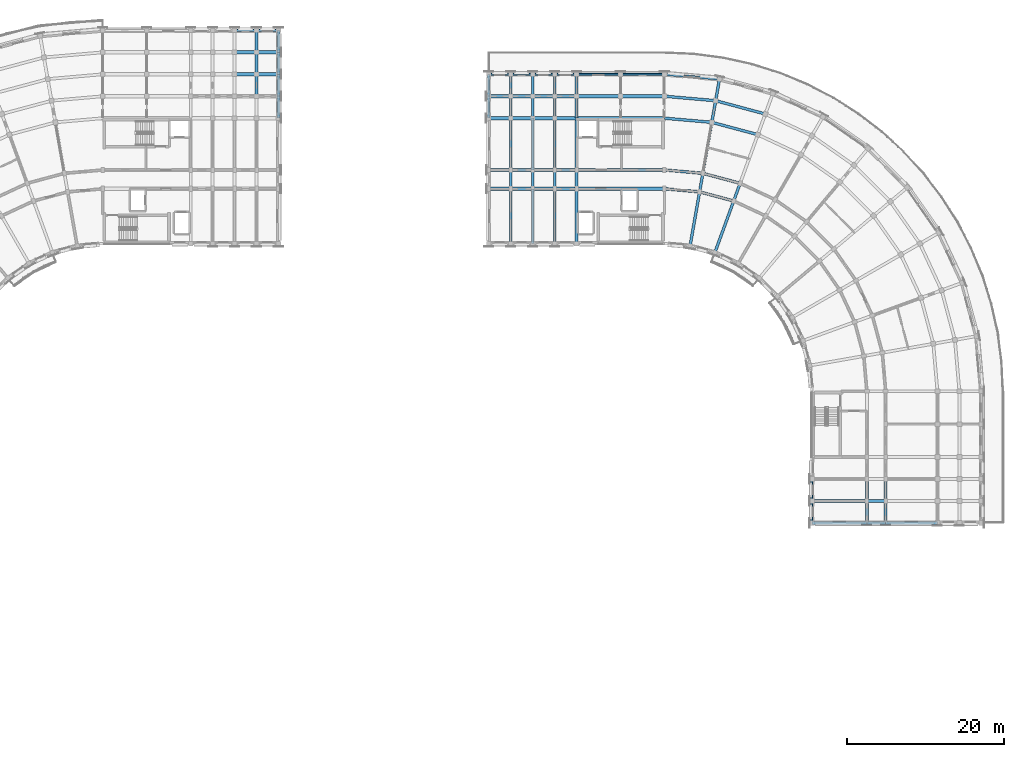
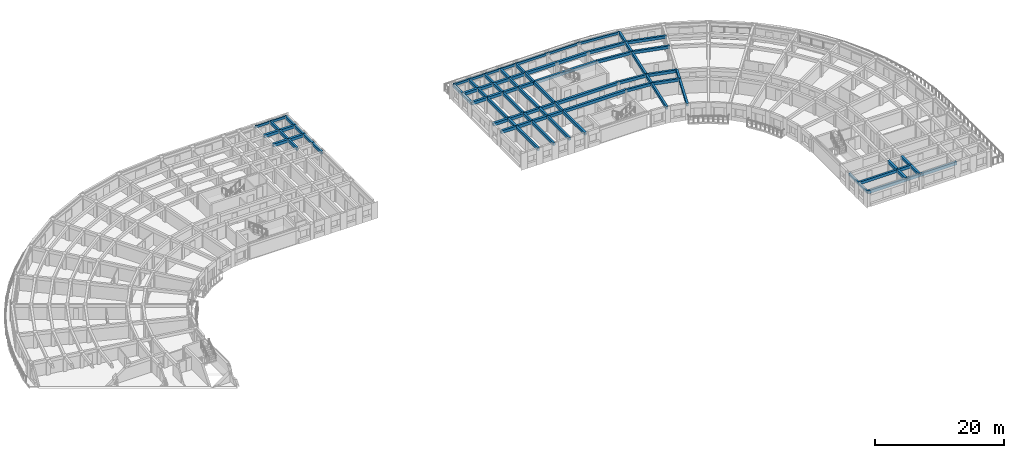
# One storey, part 7 of 41: 89 beams.
"""IFC4 building model written with IfcOpenShell, lengths in metres."""

from ifc_helpers import new_model, si_unit, direction, frame, origin, origin_2d, place, context, subcontext, project, spatial, rectangle, extrude, material, material_profile, profile_set, type_object, element, save


model = new_model("IFC4")

# Units and contexts
model_context = context("Model", 3, precision=1e-05, world=origin(), true_north=direction((0.0, 1.0)))
body_context = subcontext(model_context, "Body", "Model", "MODEL_VIEW")
ifc_project = project(units=[si_unit("LENGTHUNIT", "METRE"), si_unit("AREAUNIT", "SQUARE_METRE"), si_unit("VOLUMEUNIT", "CUBIC_METRE"), si_unit("PLANEANGLEUNIT", "RADIAN"), si_unit("MASSUNIT", "GRAM", prefix="KILO")], contexts=[model_context])

# Site, building, storey
site_placement = place(None, origin())
site = spatial("IfcSite", under=ifc_project, at=site_placement, CompositionType="ELEMENT")
building_placement = place(site_placement, origin())
building = spatial("IfcBuilding", under=site, at=building_placement, Name="Kiranvali Square Residences", CompositionType="ELEMENT")
storey_placement = place(building_placement, frame((0.0, 0.0, 33.89990234375)))
storey = spatial("IfcBuildingStorey", under=building, at=storey_placement, Name="L10", CompositionType="ELEMENT", Elevation=33.89990234375)

# Beams
ifc_material_1 = material(Name="Concrete M40 (40 MPa)", Category="concrete")
ifc_material_profile_1 = material_profile(ifc_material_1, rectangle(XDim=0.35009765625, YDim=0.550048828125, at=origin_2d()), Name="RC 350x550")
ifc_profile_set_1 = profile_set([ifc_material_profile_1], Name="Concrete M40 (40 MPa)")
beam_type_1 = type_object("IfcBeamType", Name="BM-M40-350x550", PredefinedType="BEAM", material=ifc_profile_set_1)
for number, where, z_axis, x_axis, name in (
    (1, (67.800048828125, 125.39990234375, 2.655029296875), (0.0, 1.0, 0.0), (-1.0, 0.0, 0.0), "L10 beam BM-A-L10-A1T4-45"),
    (2, (67.800048828125, 128.199951171875, 2.655029296875), (0.0, 1.0, 0.0), (-1.0, 0.0, 0.0), "L10 beam BM-A-L10-A1T4-56"),
    (3, (67.800048828125, 131.0, 2.655029296875), (0.0, 1.0, 0.0), (-1.0, 0.0, 0.0), "L10 beam BM-A-L10-A1T4-67"),
):
    element("IfcBeam", number, at=place(storey_placement, frame(where, z_axis=z_axis, x_axis=x_axis)), inside=storey, type_object=beam_type_1, Name=name, PredefinedType="BEAM", context=body_context, shape_type="SweptSolid", body=[
        extrude(rectangle(XDim=0.35009765625, YDim=0.550048828125, at=origin_2d()), origin(), (0.0, 0.0, 1.0), 2.800048828125),
    ])
beam_1_placement = place(storey_placement, frame((70.60009765625, 122.60009765625, 2.655029296875), z_axis=(0.0, 1.0, 0.0), x_axis=(-1.0, 0.0, 0.0)))
element("IfcBeam", 4, at=beam_1_placement, inside=storey, type_object=beam_type_1, Name="L10 beam BM-A-L10-A1T5-34", PredefinedType="BEAM", context=body_context, shape_type="SweptSolid", body=[
    extrude(rectangle(XDim=0.35009765625, YDim=0.550048828125, at=origin_2d()), origin(), (0.0, 0.0, 1.0), 2.7998046875),
])
for number, where, z_axis, x_axis, name in (
    (5, (70.60009765625, 125.39990234375, 2.655029296875), (0.0, 1.0, 0.0), (-1.0, 0.0, 0.0), "L10 beam BM-A-L10-A1T5-45"),
    (6, (70.60009765625, 128.199951171875, 2.655029296875), (0.0, 1.0, 0.0), (-1.0, 0.0, 0.0), "L10 beam BM-A-L10-A1T5-56"),
    (7, (70.60009765625, 131.0, 2.655029296875), (0.0, 1.0, 0.0), (-1.0, 0.0, 0.0), "L10 beam BM-A-L10-A1T5-67"),
):
    element("IfcBeam", number, at=place(storey_placement, frame(where, z_axis=z_axis, x_axis=x_axis)), inside=storey, type_object=beam_type_1, Name=name, PredefinedType="BEAM", context=body_context, shape_type="SweptSolid", body=[
        extrude(rectangle(XDim=0.35009765625, YDim=0.550048828125, at=origin_2d()), origin(), (0.0, 0.0, 1.0), 2.800048828125),
    ])
beam_2_placement = place(storey_placement, frame((119.800048828125, 113.60009765625, 2.655029296875), z_axis=(0.996191949488, -0.087187153726, 0.0), x_axis=(0.087187153726, 0.996191949488, 0.0)))
element("IfcBeam", 8, at=beam_2_placement, inside=storey, type_object=beam_type_1, Name="L10 beam BM-B-L10-C00-R1", PredefinedType="BEAM", context=body_context, shape_type="SweptSolid", body=[
    extrude(rectangle(XDim=0.35009765625, YDim=0.550048828125, at=origin_2d()), origin(), (0.0, 0.0, 1.0), 4.4970703125),
])
beam_3_placement = place(storey_placement, frame((119.800048828125, 116.0, 2.655029296875), z_axis=(0.996193663584, -0.087167566415, 0.0), x_axis=(0.087167566415, 0.996193663584, 0.0)))
element("IfcBeam", 9, at=beam_3_placement, inside=storey, type_object=beam_type_1, Name="L10 beam BM-B-L10-C00-R2", PredefinedType="BEAM", context=body_context, shape_type="SweptSolid", body=[
    extrude(rectangle(XDim=0.35009765625, YDim=0.550048828125, at=origin_2d()), origin(), (0.0, 0.0, 1.0), 4.91552734375),
])
beam_4_placement = place(storey_placement, frame((119.800048828125, 122.60009765625, 2.655029296875), z_axis=(0.996193018494, -0.087174938512, 0.0), x_axis=(0.087174938512, 0.996193018494, 0.0)))
element("IfcBeam", 10, at=beam_4_placement, inside=storey, type_object=beam_type_1, Name="L10 beam BM-B-L10-C00-R3", PredefinedType="BEAM", context=body_context, shape_type="SweptSolid", body=[
    extrude(rectangle(XDim=0.35009765625, YDim=0.550048828125, at=origin_2d()), origin(), (0.0, 0.0, 1.0), 6.066162109375),
])
beam_5_placement = place(storey_placement, frame((119.800048828125, 125.39990234375, 2.655029296875), z_axis=(0.996196991902, -0.0871295204, 0.0), x_axis=(0.0871295204, 0.996196991902, 0.0)))
element("IfcBeam", 11, at=beam_5_placement, inside=storey, type_object=beam_type_1, Name="L10 beam BM-B-L10-C00-R4", PredefinedType="BEAM", context=body_context, shape_type="SweptSolid", body=[
    extrude(rectangle(XDim=0.35009765625, YDim=0.550048828125, at=origin_2d()), origin(), (0.0, 0.0, 1.0), 6.553955078125),
])
beam_6_placement = place(storey_placement, frame((124.280029296875, 113.2080078125, 2.655029296875), z_axis=(0.965934240054, -0.258787642463, 0.0), x_axis=(0.258787642463, 0.965934240054, 0.0)))
element("IfcBeam", 12, at=beam_6_placement, inside=storey, type_object=beam_type_1, Name="L10 beam BM-B-L10-C01-R1", PredefinedType="BEAM", context=body_context, shape_type="SweptSolid", body=[
    extrude(rectangle(XDim=0.35009765625, YDim=0.550048828125, at=origin_2d()), origin(), (0.0, 0.0, 1.0), 4.497314453125),
])
beam_7_placement = place(storey_placement, frame((124.69677734375, 115.571533203125, 2.655029296875), z_axis=(0.965930095386, -0.258803112091, 0.0), x_axis=(0.258803112091, 0.965930095386, 0.0)))
element("IfcBeam", 13, at=beam_7_placement, inside=storey, type_object=beam_type_1, Name="L10 beam BM-B-L10-C01-R2", PredefinedType="BEAM", context=body_context, shape_type="SweptSolid", body=[
    extrude(rectangle(XDim=0.35009765625, YDim=0.550048828125, at=origin_2d()), origin(), (0.0, 0.0, 1.0), 4.915771484375),
])
beam_8_placement = place(storey_placement, frame((125.843017578125, 122.0712890625, 2.655029296875), z_axis=(0.965923618901, -0.258827283048, 0.0), x_axis=(0.258827283048, 0.965923618901, 0.0)))
element("IfcBeam", 14, at=beam_8_placement, inside=storey, type_object=beam_type_1, Name="L10 beam BM-B-L10-C01-R3", PredefinedType="BEAM", context=body_context, shape_type="SweptSolid", body=[
    extrude(rectangle(XDim=0.35009765625, YDim=0.550048828125, at=origin_2d()), origin(), (0.0, 0.0, 1.0), 6.066162109375),
])
beam_9_placement = place(storey_placement, frame((126.3291015625, 124.828857421875, 2.655029296875), z_axis=(0.965918287583, -0.258847178297, 0.0), x_axis=(0.258847178297, 0.965918287583, 0.0)))
element("IfcBeam", 15, at=beam_9_placement, inside=storey, type_object=beam_type_1, Name="L10 beam BM-B-L10-C01-R4", PredefinedType="BEAM", context=body_context, shape_type="SweptSolid", body=[
    extrude(rectangle(XDim=0.35009765625, YDim=0.550048828125, at=origin_2d()), origin(), (0.0, 0.0, 1.0), 6.55419921875),
])
beam_10_placement = place(storey_placement, frame((123.064697265625, 106.314453125, 2.655029296875), z_axis=(0.173622177865, 0.984812337125, 0.0), x_axis=(-0.984812337125, 0.173622177865, 0.0)))
element("IfcBeam", 16, at=beam_10_placement, inside=storey, type_object=beam_type_1, Name="L10 beam BM-B-L10-RAD01-01", PredefinedType="BEAM", context=body_context, shape_type="SweptSolid", body=[
    extrude(rectangle(XDim=0.35009765625, YDim=0.550048828125, at=origin_2d()), origin(), (0.0, 0.0, 1.0), 6.999755859375),
])
beam_11_placement = place(storey_placement, frame((124.280029296875, 113.2080078125, 2.655029296875), z_axis=(0.173646056486, 0.984808127031, 0.0), x_axis=(-0.984808127031, 0.173646056486, 0.0)))
element("IfcBeam", 17, at=beam_11_placement, inside=storey, type_object=beam_type_1, Name="L10 beam BM-B-L10-RAD01-12", PredefinedType="BEAM", context=body_context, shape_type="SweptSolid", body=[
    extrude(rectangle(XDim=0.35009765625, YDim=0.550048828125, at=origin_2d()), origin(), (0.0, 0.0, 1.0), 2.39990234375),
])
beam_12_placement = place(storey_placement, frame((124.69677734375, 115.571533203125, 2.655029296875), z_axis=(0.173671381499, 0.984803661269, 0.0), x_axis=(-0.984803661269, 0.173671381499, 0.0)))
element("IfcBeam", 18, at=beam_12_placement, inside=storey, type_object=beam_type_1, Name="L10 beam BM-B-L10-RAD01-23", PredefinedType="BEAM", context=body_context, shape_type="SweptSolid", body=[
    extrude(rectangle(XDim=0.35009765625, YDim=0.550048828125, at=origin_2d()), origin(), (0.0, 0.0, 1.0), 6.60009765625),
])
beam_13_placement = place(storey_placement, frame((125.843017578125, 122.0712890625, 2.655029296875), z_axis=(0.173596320392, 0.984816895441, 0.0), x_axis=(-0.984816895441, 0.173596320392, 0.0)))
element("IfcBeam", 19, at=beam_13_placement, inside=storey, type_object=beam_type_1, Name="L10 beam BM-B-L10-RAD01-34", PredefinedType="BEAM", context=body_context, shape_type="SweptSolid", body=[
    extrude(rectangle(XDim=0.35009765625, YDim=0.550048828125, at=origin_2d()), origin(), (0.0, 0.0, 1.0), 2.800048828125),
])
beam_14_placement = place(storey_placement, frame((126.3291015625, 124.828857421875, 2.695068359375), z_axis=(0.173695795656, 0.984799355489, 0.0), x_axis=(-0.984799355489, 0.173695795656, 0.0)))
element("IfcBeam", 20, at=beam_14_placement, inside=storey, type_object=beam_type_1, Name="L10 beam BM-B-L10-RAD01-45", PredefinedType="BEAM", context=body_context, shape_type="SweptSolid", body=[
    extrude(rectangle(XDim=0.35009765625, YDim=0.550048828125, at=origin_2d()), origin(), (0.0, 0.0, 1.0), 2.7998046875),
])
beam_15_placement = place(storey_placement, frame((126.22998046875, 105.46630859375, 2.655029296875), z_axis=(0.342006283793, 0.939697665127, 0.0), x_axis=(-0.939697665127, 0.342006283793, 0.0)))
element("IfcBeam", 21, at=beam_15_placement, inside=storey, type_object=beam_type_1, Name="L10 beam BM-B-L10-RAD02-01", PredefinedType="BEAM", context=body_context, shape_type="SweptSolid", body=[
    extrude(rectangle(XDim=0.35009765625, YDim=0.550048828125, at=origin_2d()), origin(), (0.0, 0.0, 1.0), 7.0),
])
beam_16_placement = place(storey_placement, frame((128.6240234375, 112.044189453125, 2.655029296875), z_axis=(0.342110593602, 0.939659694648, 0.0), x_axis=(-0.939659694648, 0.342110593602, 0.0)))
element("IfcBeam", 22, at=beam_16_placement, inside=storey, type_object=beam_type_1, Name="L10 beam BM-B-L10-RAD02-12", PredefinedType="BEAM", context=body_context, shape_type="SweptSolid", body=[
    extrude(rectangle(XDim=0.35009765625, YDim=0.550048828125, at=origin_2d()), origin(), (0.0, 0.0, 1.0), 2.39990234375),
])
beam_17_placement = place(storey_placement, frame((108.60009765625, 106.60009765625, 2.655029296875), z_axis=(0.0, 1.0, 0.0), x_axis=(-1.0, 0.0, 0.0)))
element("IfcBeam", 23, at=beam_17_placement, inside=storey, type_object=beam_type_1, Name="L10 beam BM-B-L10-A1T1-01", PredefinedType="BEAM", context=body_context, shape_type="SweptSolid", body=[
    extrude(rectangle(XDim=0.35009765625, YDim=0.550048828125, at=origin_2d()), origin(), (0.0, 0.0, 1.0), 7.0),
])
beam_18_placement = place(storey_placement, frame((108.60009765625, 113.60009765625, 2.655029296875), z_axis=(0.0, 1.0, 0.0), x_axis=(-1.0, 0.0, 0.0)))
element("IfcBeam", 24, at=beam_18_placement, inside=storey, type_object=beam_type_1, Name="L10 beam BM-B-L10-A1T1-12", PredefinedType="BEAM", context=body_context, shape_type="SweptSolid", body=[
    extrude(rectangle(XDim=0.35009765625, YDim=0.550048828125, at=origin_2d()), origin(), (0.0, 0.0, 1.0), 2.39990234375),
])
beam_19_placement = place(storey_placement, frame((108.60009765625, 116.0, 2.655029296875), z_axis=(0.0, 1.0, 0.0), x_axis=(-1.0, 0.0, 0.0)))
element("IfcBeam", 25, at=beam_19_placement, inside=storey, type_object=beam_type_1, Name="L10 beam BM-B-L10-A1T1-23", PredefinedType="BEAM", context=body_context, shape_type="SweptSolid", body=[
    extrude(rectangle(XDim=0.35009765625, YDim=0.550048828125, at=origin_2d()), origin(), (0.0, 0.0, 1.0), 6.60009765625),
])
beam_20_placement = place(storey_placement, frame((108.60009765625, 122.60009765625, 2.655029296875), z_axis=(0.0, 1.0, 0.0), x_axis=(-1.0, 0.0, 0.0)))
element("IfcBeam", 26, at=beam_20_placement, inside=storey, type_object=beam_type_1, Name="L10 beam BM-B-L10-A1T1-34", PredefinedType="BEAM", context=body_context, shape_type="SweptSolid", body=[
    extrude(rectangle(XDim=0.35009765625, YDim=0.550048828125, at=origin_2d()), origin(), (0.0, 0.0, 1.0), 2.7998046875),
])
beam_21_placement = place(storey_placement, frame((108.60009765625, 125.39990234375, 2.695068359375), z_axis=(0.0, 1.0, 0.0), x_axis=(-1.0, 0.0, 0.0)))
element("IfcBeam", 27, at=beam_21_placement, inside=storey, type_object=beam_type_1, Name="L10 beam BM-B-L10-A1T1-45", PredefinedType="BEAM", context=body_context, shape_type="SweptSolid", body=[
    extrude(rectangle(XDim=0.35009765625, YDim=0.550048828125, at=origin_2d()), origin(), (0.0, 0.0, 1.0), 2.800048828125),
])
beam_22_placement = place(storey_placement, frame((105.800048828125, 106.60009765625, 2.655029296875), z_axis=(0.0, 1.0, 0.0), x_axis=(-1.0, 0.0, 0.0)))
element("IfcBeam", 28, at=beam_22_placement, inside=storey, type_object=beam_type_1, Name="L10 beam BM-B-L10-A1T2-01", PredefinedType="BEAM", context=body_context, shape_type="SweptSolid", body=[
    extrude(rectangle(XDim=0.35009765625, YDim=0.550048828125, at=origin_2d()), origin(), (0.0, 0.0, 1.0), 7.0),
])
beam_23_placement = place(storey_placement, frame((105.800048828125, 113.60009765625, 2.655029296875), z_axis=(0.0, 1.0, 0.0), x_axis=(-1.0, 0.0, 0.0)))
element("IfcBeam", 29, at=beam_23_placement, inside=storey, type_object=beam_type_1, Name="L10 beam BM-B-L10-A1T2-12", PredefinedType="BEAM", context=body_context, shape_type="SweptSolid", body=[
    extrude(rectangle(XDim=0.35009765625, YDim=0.550048828125, at=origin_2d()), origin(), (0.0, 0.0, 1.0), 2.39990234375),
])
beam_24_placement = place(storey_placement, frame((105.800048828125, 116.0, 2.655029296875), z_axis=(0.0, 1.0, 0.0), x_axis=(-1.0, 0.0, 0.0)))
element("IfcBeam", 30, at=beam_24_placement, inside=storey, type_object=beam_type_1, Name="L10 beam BM-B-L10-A1T2-23", PredefinedType="BEAM", context=body_context, shape_type="SweptSolid", body=[
    extrude(rectangle(XDim=0.35009765625, YDim=0.550048828125, at=origin_2d()), origin(), (0.0, 0.0, 1.0), 6.60009765625),
])
beam_25_placement = place(storey_placement, frame((105.800048828125, 122.60009765625, 2.655029296875), z_axis=(0.0, 1.0, 0.0), x_axis=(-1.0, 0.0, 0.0)))
element("IfcBeam", 31, at=beam_25_placement, inside=storey, type_object=beam_type_1, Name="L10 beam BM-B-L10-A1T2-34", PredefinedType="BEAM", context=body_context, shape_type="SweptSolid", body=[
    extrude(rectangle(XDim=0.35009765625, YDim=0.550048828125, at=origin_2d()), origin(), (0.0, 0.0, 1.0), 2.7998046875),
])
beam_26_placement = place(storey_placement, frame((105.800048828125, 125.39990234375, 2.695068359375), z_axis=(0.0, 1.0, 0.0), x_axis=(-1.0, 0.0, 0.0)))
element("IfcBeam", 32, at=beam_26_placement, inside=storey, type_object=beam_type_1, Name="L10 beam BM-B-L10-A1T2-45", PredefinedType="BEAM", context=body_context, shape_type="SweptSolid", body=[
    extrude(rectangle(XDim=0.35009765625, YDim=0.550048828125, at=origin_2d()), origin(), (0.0, 0.0, 1.0), 2.800048828125),
])
beam_27_placement = place(storey_placement, frame((103.0, 106.60009765625, 2.655029296875), z_axis=(0.0, 1.0, 0.0), x_axis=(-1.0, 0.0, 0.0)))
element("IfcBeam", 33, at=beam_27_placement, inside=storey, type_object=beam_type_1, Name="L10 beam BM-B-L10-A1T3-01", PredefinedType="BEAM", context=body_context, shape_type="SweptSolid", body=[
    extrude(rectangle(XDim=0.35009765625, YDim=0.550048828125, at=origin_2d()), origin(), (0.0, 0.0, 1.0), 7.0),
])
beam_28_placement = place(storey_placement, frame((103.0, 113.60009765625, 2.655029296875), z_axis=(0.0, 1.0, 0.0), x_axis=(-1.0, 0.0, 0.0)))
element("IfcBeam", 34, at=beam_28_placement, inside=storey, type_object=beam_type_1, Name="L10 beam BM-B-L10-A1T3-12", PredefinedType="BEAM", context=body_context, shape_type="SweptSolid", body=[
    extrude(rectangle(XDim=0.35009765625, YDim=0.550048828125, at=origin_2d()), origin(), (0.0, 0.0, 1.0), 2.39990234375),
])
beam_29_placement = place(storey_placement, frame((103.0, 116.0, 2.655029296875), z_axis=(0.0, 1.0, 0.0), x_axis=(-1.0, 0.0, 0.0)))
element("IfcBeam", 35, at=beam_29_placement, inside=storey, type_object=beam_type_1, Name="L10 beam BM-B-L10-A1T3-23", PredefinedType="BEAM", context=body_context, shape_type="SweptSolid", body=[
    extrude(rectangle(XDim=0.35009765625, YDim=0.550048828125, at=origin_2d()), origin(), (0.0, 0.0, 1.0), 6.60009765625),
])
beam_30_placement = place(storey_placement, frame((103.0, 122.60009765625, 2.655029296875), z_axis=(0.0, 1.0, 0.0), x_axis=(-1.0, 0.0, 0.0)))
element("IfcBeam", 36, at=beam_30_placement, inside=storey, type_object=beam_type_1, Name="L10 beam BM-B-L10-A1T3-34", PredefinedType="BEAM", context=body_context, shape_type="SweptSolid", body=[
    extrude(rectangle(XDim=0.35009765625, YDim=0.550048828125, at=origin_2d()), origin(), (0.0, 0.0, 1.0), 2.7998046875),
])
beam_31_placement = place(storey_placement, frame((103.0, 125.39990234375, 2.695068359375), z_axis=(0.0, 1.0, 0.0), x_axis=(-1.0, 0.0, 0.0)))
element("IfcBeam", 37, at=beam_31_placement, inside=storey, type_object=beam_type_1, Name="L10 beam BM-B-L10-A1T3-45", PredefinedType="BEAM", context=body_context, shape_type="SweptSolid", body=[
    extrude(rectangle(XDim=0.35009765625, YDim=0.550048828125, at=origin_2d()), origin(), (0.0, 0.0, 1.0), 2.800048828125),
])
beam_32_placement = place(storey_placement, frame((100.199951171875, 106.60009765625, 2.655029296875), z_axis=(0.0, 1.0, 0.0), x_axis=(-1.0, 0.0, 0.0)))
element("IfcBeam", 38, at=beam_32_placement, inside=storey, type_object=beam_type_1, Name="L10 beam BM-B-L10-A1T4-01", PredefinedType="BEAM", context=body_context, shape_type="SweptSolid", body=[
    extrude(rectangle(XDim=0.35009765625, YDim=0.550048828125, at=origin_2d()), origin(), (0.0, 0.0, 1.0), 7.0),
])
beam_33_placement = place(storey_placement, frame((100.199951171875, 113.60009765625, 2.655029296875), z_axis=(0.0, 1.0, 0.0), x_axis=(-1.0, 0.0, 0.0)))
element("IfcBeam", 39, at=beam_33_placement, inside=storey, type_object=beam_type_1, Name="L10 beam BM-B-L10-A1T4-12", PredefinedType="BEAM", context=body_context, shape_type="SweptSolid", body=[
    extrude(rectangle(XDim=0.35009765625, YDim=0.550048828125, at=origin_2d()), origin(), (0.0, 0.0, 1.0), 2.39990234375),
])
beam_34_placement = place(storey_placement, frame((100.199951171875, 116.0, 2.655029296875), z_axis=(0.0, 1.0, 0.0), x_axis=(-1.0, 0.0, 0.0)))
element("IfcBeam", 40, at=beam_34_placement, inside=storey, type_object=beam_type_1, Name="L10 beam BM-B-L10-A1T4-23", PredefinedType="BEAM", context=body_context, shape_type="SweptSolid", body=[
    extrude(rectangle(XDim=0.35009765625, YDim=0.550048828125, at=origin_2d()), origin(), (0.0, 0.0, 1.0), 6.60009765625),
])
beam_35_placement = place(storey_placement, frame((100.199951171875, 122.60009765625, 2.655029296875), z_axis=(0.0, 1.0, 0.0), x_axis=(-1.0, 0.0, 0.0)))
element("IfcBeam", 41, at=beam_35_placement, inside=storey, type_object=beam_type_1, Name="L10 beam BM-B-L10-A1T4-34", PredefinedType="BEAM", context=body_context, shape_type="SweptSolid", body=[
    extrude(rectangle(XDim=0.35009765625, YDim=0.550048828125, at=origin_2d()), origin(), (0.0, 0.0, 1.0), 2.7998046875),
])
beam_36_placement = place(storey_placement, frame((100.199951171875, 125.39990234375, 2.695068359375), z_axis=(0.0, 1.0, 0.0), x_axis=(-1.0, 0.0, 0.0)))
element("IfcBeam", 42, at=beam_36_placement, inside=storey, type_object=beam_type_1, Name="L10 beam BM-B-L10-A1T4-45", PredefinedType="BEAM", context=body_context, shape_type="SweptSolid", body=[
    extrude(rectangle(XDim=0.35009765625, YDim=0.550048828125, at=origin_2d()), origin(), (0.0, 0.0, 1.0), 2.800048828125),
])
beam_37_placement = place(storey_placement, frame((97.39990234375, 122.60009765625, 2.655029296875), z_axis=(0.0, 1.0, 0.0), x_axis=(-1.0, 0.0, 0.0)))
element("IfcBeam", 43, at=beam_37_placement, inside=storey, type_object=beam_type_1, Name="L10 beam BM-B-L10-A1T5-34", PredefinedType="BEAM", context=body_context, shape_type="SweptSolid", body=[
    extrude(rectangle(XDim=0.35009765625, YDim=0.550048828125, at=origin_2d()), origin(), (0.0, 0.0, 1.0), 2.7998046875),
])
beam_38_placement = place(storey_placement, frame((97.39990234375, 125.39990234375, 2.695068359375), z_axis=(0.0, 1.0, 0.0), x_axis=(-1.0, 0.0, 0.0)))
element("IfcBeam", 44, at=beam_38_placement, inside=storey, type_object=beam_type_1, Name="L10 beam BM-B-L10-A1T5-45", PredefinedType="BEAM", context=body_context, shape_type="SweptSolid", body=[
    extrude(rectangle(XDim=0.35009765625, YDim=0.550048828125, at=origin_2d()), origin(), (0.0, 0.0, 1.0), 2.800048828125),
])
beam_39_placement = place(storey_placement, frame((138.60009765625, 73.800048828125, 2.655029296875), z_axis=(1.0, 0.0, 0.0), x_axis=(0.0, 1.0, 0.0)))
element("IfcBeam", 45, at=beam_39_placement, inside=storey, type_object=beam_type_1, Name="L10 beam BM-B-L10-A2T3-01", PredefinedType="BEAM", context=body_context, shape_type="SweptSolid", body=[
    extrude(rectangle(XDim=0.35009765625, YDim=0.550048828125, at=origin_2d()), origin(), (0.0, 0.0, 1.0), 7.0),
])
beam_40_placement = place(storey_placement, frame((145.60009765625, 73.800048828125, 2.655029296875), z_axis=(1.0, 0.0, 0.0), x_axis=(0.0, 1.0, 0.0)))
element("IfcBeam", 46, at=beam_40_placement, inside=storey, type_object=beam_type_1, Name="L10 beam BM-B-L10-A2T3-12", PredefinedType="BEAM", context=body_context, shape_type="SweptSolid", body=[
    extrude(rectangle(XDim=0.35009765625, YDim=0.550048828125, at=origin_2d()), origin(), (0.0, 0.0, 1.0), 2.39990234375),
])
beam_41_placement = place(storey_placement, frame((138.60009765625, 71.0, 2.655029296875), z_axis=(1.0, 0.0, 0.0), x_axis=(0.0, 1.0, 0.0)))
element("IfcBeam", 47, at=beam_41_placement, inside=storey, type_object=beam_type_1, Name="L10 beam BM-B-L10-A2T4-01", PredefinedType="BEAM", context=body_context, shape_type="SweptSolid", body=[
    extrude(rectangle(XDim=0.35009765625, YDim=0.550048828125, at=origin_2d()), origin(), (0.0, 0.0, 1.0), 7.0),
])
beam_42_placement = place(storey_placement, frame((145.60009765625, 71.0, 2.655029296875), z_axis=(1.0, 0.0, 0.0), x_axis=(0.0, 1.0, 0.0)))
element("IfcBeam", 48, at=beam_42_placement, inside=storey, type_object=beam_type_1, Name="L10 beam BM-B-L10-A2T4-12", PredefinedType="BEAM", context=body_context, shape_type="SweptSolid", body=[
    extrude(rectangle(XDim=0.35009765625, YDim=0.550048828125, at=origin_2d()), origin(), (0.0, 0.0, 1.0), 2.39990234375),
])
beam_43_placement = place(storey_placement, frame((148.0, 71.0, 2.655029296875), z_axis=(1.0, 0.0, 0.0), x_axis=(0.0, 1.0, 0.0)))
element("IfcBeam", 49, at=beam_43_placement, inside=storey, type_object=beam_type_1, Name="L10 beam BM-B-L10-A2T4-23", PredefinedType="BEAM", context=body_context, shape_type="SweptSolid", body=[
    extrude(rectangle(XDim=0.35009765625, YDim=0.550048828125, at=origin_2d()), origin(), (0.0, 0.0, 1.0), 6.60009765625),
])
ifc_material_2 = material(Name="Concrete M45 (45 MPa)", Category="concrete")
ifc_material_profile_2 = material_profile(ifc_material_2, rectangle(XDim=0.39990234375, YDim=0.550048828125, at=origin_2d()), Name="RC 400x550")
ifc_profile_set_2 = profile_set([ifc_material_profile_2], Name="Concrete M45 (45 MPa)")
beam_type_2 = type_object("IfcBeamType", Name="BM-M45-400x550", PredefinedType="BEAM", material=ifc_profile_set_2)
for number, where, z_axis, x_axis, name in (
    (50, (65.0, 128.199951171875, 2.655029296875), (1.0, 0.0, 0.0), (0.0, 1.0, 0.0), "L10 beam BM-A-L10-A1U4-R5"),
    (51, (67.800048828125, 128.199951171875, 2.655029296875), (1.0, 0.0, 0.0), (0.0, 1.0, 0.0), "L10 beam BM-A-L10-A1U5-R5"),
    (52, (65.0, 131.0, 2.655029296875), (1.0, 0.0, 0.0), (0.0, 1.0, 0.0), "L10 beam BM-A-L10-A1U4-R6"),
    (53, (67.800048828125, 131.0, 2.655029296875), (1.0, 0.0, 0.0), (0.0, 1.0, 0.0), "L10 beam BM-A-L10-A1U5-R6"),
):
    element("IfcBeam", number, at=place(storey_placement, frame(where, z_axis=z_axis, x_axis=x_axis)), inside=storey, type_object=beam_type_2, Name=name, PredefinedType="BEAM", context=body_context, shape_type="SweptSolid", body=[
        extrude(rectangle(XDim=0.39990234375, YDim=0.550048828125, at=origin_2d()), origin(), (0.0, 0.0, 1.0), 2.800048828125),
    ])
beam_44_placement = place(storey_placement, frame((119.800048828125, 113.60009765625, 2.655029296875), z_axis=(-1.0, 0.0, 0.0), x_axis=(0.0, -1.0, 0.0)))
element("IfcBeam", 54, at=beam_44_placement, inside=storey, type_object=beam_type_2, Name="L10 beam BM-B-L10-A1U0-R1", PredefinedType="BEAM", context=body_context, shape_type="SweptSolid", body=[
    extrude(rectangle(XDim=0.39990234375, YDim=0.550048828125, at=origin_2d()), origin(), (0.0, 0.0, 1.0), 11.199951171875),
])
for number, where, z_axis, x_axis, name in (
    (55, (108.60009765625, 113.60009765625, 2.655029296875), (-1.0, 0.0, 0.0), (0.0, -1.0, 0.0), "L10 beam BM-B-L10-A1U1-R1"),
    (56, (105.800048828125, 113.60009765625, 2.655029296875), (-1.0, 0.0, 0.0), (0.0, -1.0, 0.0), "L10 beam BM-B-L10-A1U2-R1"),
    (57, (103.0, 113.60009765625, 2.655029296875), (-1.0, 0.0, 0.0), (0.0, -1.0, 0.0), "L10 beam BM-B-L10-A1U3-R1"),
    (58, (100.199951171875, 113.60009765625, 2.655029296875), (-1.0, 0.0, 0.0), (0.0, -1.0, 0.0), "L10 beam BM-B-L10-A1U4-R1"),
):
    element("IfcBeam", number, at=place(storey_placement, frame(where, z_axis=z_axis, x_axis=x_axis)), inside=storey, type_object=beam_type_2, Name=name, PredefinedType="BEAM", context=body_context, shape_type="SweptSolid", body=[
        extrude(rectangle(XDim=0.39990234375, YDim=0.550048828125, at=origin_2d()), origin(), (0.0, 0.0, 1.0), 2.800048828125),
    ])
beam_45_placement = place(storey_placement, frame((119.800048828125, 116.0, 2.655029296875), z_axis=(-1.0, 0.0, 0.0), x_axis=(0.0, -1.0, 0.0)))
element("IfcBeam", 59, at=beam_45_placement, inside=storey, type_object=beam_type_2, Name="L10 beam BM-B-L10-A1U0-R2", PredefinedType="BEAM", context=body_context, shape_type="SweptSolid", body=[
    extrude(rectangle(XDim=0.39990234375, YDim=0.550048828125, at=origin_2d()), origin(), (0.0, 0.0, 1.0), 11.199951171875),
])
for number, where, z_axis, x_axis, name in (
    (60, (108.60009765625, 116.0, 2.655029296875), (-1.0, 0.0, 0.0), (0.0, -1.0, 0.0), "L10 beam BM-B-L10-A1U1-R2"),
    (61, (105.800048828125, 116.0, 2.655029296875), (-1.0, 0.0, 0.0), (0.0, -1.0, 0.0), "L10 beam BM-B-L10-A1U2-R2"),
    (62, (103.0, 116.0, 2.655029296875), (-1.0, 0.0, 0.0), (0.0, -1.0, 0.0), "L10 beam BM-B-L10-A1U3-R2"),
    (63, (100.199951171875, 116.0, 2.655029296875), (-1.0, 0.0, 0.0), (0.0, -1.0, 0.0), "L10 beam BM-B-L10-A1U4-R2"),
):
    element("IfcBeam", number, at=place(storey_placement, frame(where, z_axis=z_axis, x_axis=x_axis)), inside=storey, type_object=beam_type_2, Name=name, PredefinedType="BEAM", context=body_context, shape_type="SweptSolid", body=[
        extrude(rectangle(XDim=0.39990234375, YDim=0.550048828125, at=origin_2d()), origin(), (0.0, 0.0, 1.0), 2.800048828125),
    ])
beam_46_placement = place(storey_placement, frame((119.800048828125, 122.60009765625, 2.655029296875), z_axis=(-1.0, 0.0, 0.0), x_axis=(0.0, -1.0, 0.0)))
element("IfcBeam", 64, at=beam_46_placement, inside=storey, type_object=beam_type_2, Name="L10 beam BM-B-L10-A1U0-R3", PredefinedType="BEAM", context=body_context, shape_type="SweptSolid", body=[
    extrude(rectangle(XDim=0.39990234375, YDim=0.550048828125, at=origin_2d()), origin(), (0.0, 0.0, 1.0), 11.199951171875),
])
for number, where, z_axis, x_axis, name in (
    (65, (108.60009765625, 122.60009765625, 2.655029296875), (-1.0, 0.0, 0.0), (0.0, -1.0, 0.0), "L10 beam BM-B-L10-A1U1-R3"),
    (66, (105.800048828125, 122.60009765625, 2.655029296875), (-1.0, 0.0, 0.0), (0.0, -1.0, 0.0), "L10 beam BM-B-L10-A1U2-R3"),
    (67, (103.0, 122.60009765625, 2.655029296875), (-1.0, 0.0, 0.0), (0.0, -1.0, 0.0), "L10 beam BM-B-L10-A1U3-R3"),
    (68, (100.199951171875, 122.60009765625, 2.655029296875), (-1.0, 0.0, 0.0), (0.0, -1.0, 0.0), "L10 beam BM-B-L10-A1U4-R3"),
):
    element("IfcBeam", number, at=place(storey_placement, frame(where, z_axis=z_axis, x_axis=x_axis)), inside=storey, type_object=beam_type_2, Name=name, PredefinedType="BEAM", context=body_context, shape_type="SweptSolid", body=[
        extrude(rectangle(XDim=0.39990234375, YDim=0.550048828125, at=origin_2d()), origin(), (0.0, 0.0, 1.0), 2.800048828125),
    ])
beam_47_placement = place(storey_placement, frame((119.800048828125, 125.39990234375, 2.655029296875), z_axis=(-1.0, 0.0, 0.0), x_axis=(0.0, -1.0, 0.0)))
element("IfcBeam", 69, at=beam_47_placement, inside=storey, type_object=beam_type_2, Name="L10 beam BM-B-L10-A1U0-R4", PredefinedType="BEAM", context=body_context, shape_type="SweptSolid", body=[
    extrude(rectangle(XDim=0.39990234375, YDim=0.550048828125, at=origin_2d()), origin(), (0.0, 0.0, 1.0), 5.60009765625),
])
beam_48_placement = place(storey_placement, frame((114.199951171875, 125.39990234375, 2.655029296875), z_axis=(-1.0, 0.0, 0.0), x_axis=(0.0, -1.0, 0.0)))
element("IfcBeam", 70, at=beam_48_placement, inside=storey, type_object=beam_type_2, Name="L10 beam BM-B-L10-A1U1-R4", PredefinedType="BEAM", context=body_context, shape_type="SweptSolid", body=[
    extrude(rectangle(XDim=0.39990234375, YDim=0.550048828125, at=origin_2d()), origin(), (0.0, 0.0, 1.0), 5.599853515625),
])
for number, where, z_axis, x_axis, name in (
    (71, (108.60009765625, 125.39990234375, 2.655029296875), (-1.0, 0.0, 0.0), (0.0, -1.0, 0.0), "L10 beam BM-B-L10-A1U2-R4"),
    (72, (105.800048828125, 125.39990234375, 2.655029296875), (-1.0, 0.0, 0.0), (0.0, -1.0, 0.0), "L10 beam BM-B-L10-A1U3-R4"),
    (73, (103.0, 125.39990234375, 2.655029296875), (-1.0, 0.0, 0.0), (0.0, -1.0, 0.0), "L10 beam BM-B-L10-A1U4-R4"),
    (74, (100.199951171875, 125.39990234375, 2.655029296875), (-1.0, 0.0, 0.0), (0.0, -1.0, 0.0), "L10 beam BM-B-L10-A1U5-R4"),
    (75, (145.60009765625, 76.60009765625, 2.655029296875), (0.0, -1.0, 0.0), (1.0, 0.0, 0.0), "L10 beam BM-B-L10-A2V2-R1"),
    (76, (145.60009765625, 73.800048828125, 2.655029296875), (0.0, -1.0, 0.0), (1.0, 0.0, 0.0), "L10 beam BM-B-L10-A2V3-R1"),
    (77, (148.0, 76.60009765625, 2.655029296875), (0.0, -1.0, 0.0), (1.0, 0.0, 0.0), "L10 beam BM-B-L10-A2V3-R2"),
    (78, (148.0, 73.800048828125, 2.655029296875), (0.0, -1.0, 0.0), (1.0, 0.0, 0.0), "L10 beam BM-B-L10-A2V4-R2"),
):
    element("IfcBeam", number, at=place(storey_placement, frame(where, z_axis=z_axis, x_axis=x_axis)), inside=storey, type_object=beam_type_2, Name=name, PredefinedType="BEAM", context=body_context, shape_type="SweptSolid", body=[
        extrude(rectangle(XDim=0.39990234375, YDim=0.550048828125, at=origin_2d()), origin(), (0.0, 0.0, 1.0), 2.800048828125),
    ])
ifc_material_profile_3 = material_profile(ifc_material_1, rectangle(XDim=0.25, YDim=0.449951171875, at=origin_2d()), Name="RC 250x450")
ifc_profile_set_3 = profile_set([ifc_material_profile_3], Name="Concrete M40 (40 MPa)")
beam_type_3 = type_object("IfcBeamType", Name="SPN-M40-250x450", PredefinedType="SPANDREL", material=ifc_profile_set_3)
for number, where, z_axis, x_axis, name in (
    (79, (65.0, 133.800048828125, 2.705078125), (1.0, 0.0, 0.0), (0.0, 1.0, 0.0), "L10 beam BM-A-L10-A1U4-R7"),
    (80, (67.800048828125, 133.800048828125, 2.705078125), (1.0, 0.0, 0.0), (0.0, 1.0, 0.0), "L10 beam BM-A-L10-A1U5-R7"),
):
    element("IfcBeam", number, at=place(storey_placement, frame(where, z_axis=z_axis, x_axis=x_axis)), inside=storey, type_object=beam_type_3, Name=name, PredefinedType="SPANDREL", context=body_context, shape_type="SweptSolid", body=[
        extrude(rectangle(XDim=0.25, YDim=0.449951171875, at=origin_2d()), origin(), (0.0, 0.0, 1.0), 2.800048828125),
    ])
beam_49_placement = place(storey_placement, frame((119.800048828125, 128.199951171875, 2.7451171875), z_axis=(-1.0, 0.0, 0.0), x_axis=(0.0, -1.0, 0.0)))
element("IfcBeam", 81, at=beam_49_placement, inside=storey, type_object=beam_type_3, Name="L10 beam BM-B-L10-A1U0-R5", PredefinedType="SPANDREL", context=body_context, shape_type="SweptSolid", body=[
    extrude(rectangle(XDim=0.25, YDim=0.449951171875, at=origin_2d()), origin(), (0.0, 0.0, 1.0), 5.60009765625),
])
beam_50_placement = place(storey_placement, frame((114.199951171875, 128.199951171875, 2.7451171875), z_axis=(-1.0, 0.0, 0.0), x_axis=(0.0, -1.0, 0.0)))
element("IfcBeam", 82, at=beam_50_placement, inside=storey, type_object=beam_type_3, Name="L10 beam BM-B-L10-A1U1-R5", PredefinedType="SPANDREL", context=body_context, shape_type="SweptSolid", body=[
    extrude(rectangle(XDim=0.25, YDim=0.449951171875, at=origin_2d()), origin(), (0.0, 0.0, 1.0), 5.599853515625),
])
for number, where, z_axis, x_axis, name in (
    (83, (108.60009765625, 128.199951171875, 2.7451171875), (-1.0, 0.0, 0.0), (0.0, -1.0, 0.0), "L10 beam BM-B-L10-A1U2-R5"),
    (84, (105.800048828125, 128.199951171875, 2.7451171875), (-1.0, 0.0, 0.0), (0.0, -1.0, 0.0), "L10 beam BM-B-L10-A1U3-R5"),
    (85, (103.0, 128.199951171875, 2.7451171875), (-1.0, 0.0, 0.0), (0.0, -1.0, 0.0), "L10 beam BM-B-L10-A1U4-R5"),
    (86, (100.199951171875, 128.199951171875, 2.7451171875), (-1.0, 0.0, 0.0), (0.0, -1.0, 0.0), "L10 beam BM-B-L10-A1U5-R5"),
    (87, (138.60009765625, 76.60009765625, 2.705078125), (0.0, -1.0, 0.0), (1.0, 0.0, 0.0), "L10 beam BM-B-L10-A2V2-R0"),
    (88, (138.60009765625, 73.800048828125, 2.705078125), (0.0, -1.0, 0.0), (1.0, 0.0, 0.0), "L10 beam BM-B-L10-A2V3-R0"),
):
    element("IfcBeam", number, at=place(storey_placement, frame(where, z_axis=z_axis, x_axis=x_axis)), inside=storey, type_object=beam_type_3, Name=name, PredefinedType="SPANDREL", context=body_context, shape_type="SweptSolid", body=[
        extrude(rectangle(XDim=0.25, YDim=0.449951171875, at=origin_2d()), origin(), (0.0, 0.0, 1.0), 2.800048828125),
    ])
ifc_material_profile_4 = material_profile(ifc_material_1, rectangle(XDim=0.300048828125, YDim=0.449951171875, at=origin_2d()), Name="RC 300x450")
ifc_profile_set_4 = profile_set([ifc_material_profile_4], Name="Concrete M40 (40 MPa)")
beam_type_4 = type_object("IfcBeamType", Name="SPN-M40-300x450", PredefinedType="SPANDREL", material=ifc_profile_set_4)
beam_51_placement = place(storey_placement, frame((119.800048828125, 128.199951171875, 2.7451171875), z_axis=(0.996194658198, -0.087156198737, 0.0), x_axis=(0.087156198737, 0.996194658198, 0.0)))
element("IfcBeam", 89, at=beam_51_placement, inside=storey, type_object=beam_type_4, Name="L10 beam BM-B-L10-C00-R5", PredefinedType="SPANDREL", context=body_context, shape_type="SweptSolid", body=[
    extrude(rectangle(XDim=0.300048828125, YDim=0.449951171875, at=origin_2d()), origin(), (0.0, 0.0, 1.0), 7.042236328125),
])

save(model, "model.ifc")
